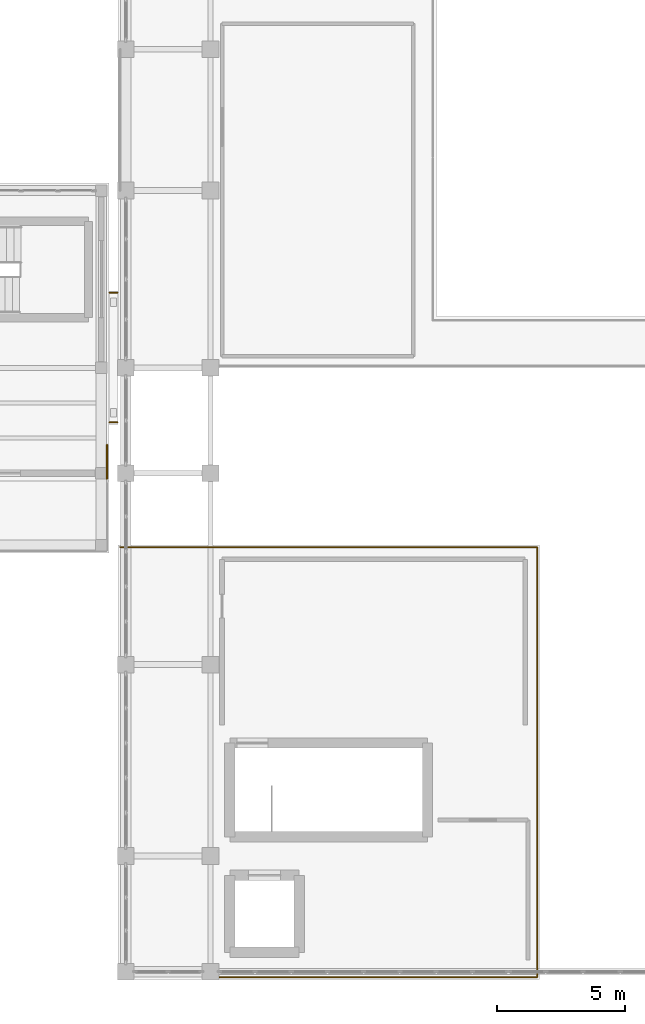
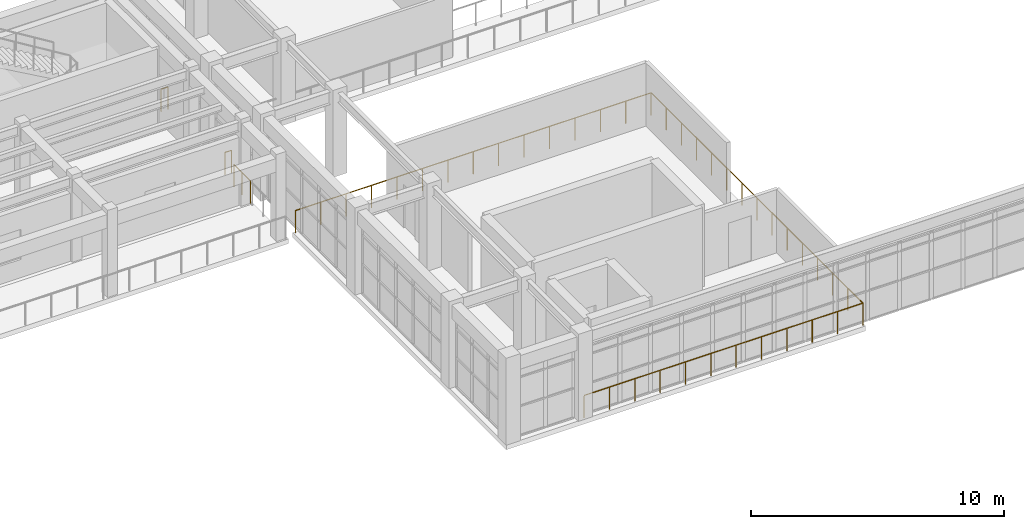
# One storey, part 63 of 66: 4 railings.
"""IFC4 building model written with IfcOpenShell, lengths in metres."""

from ifc_helpers import new_model, si_unit, direction, frame, origin, origin_2d, place, context, subcontext, project, spatial, circle, extrude, material, type_object, element, save


model = new_model("IFC4")

# Units and contexts
model_context = context("Model", 3, precision=1e-05, world=origin(), true_north=direction((0.0, 1.0)))
body_context = subcontext(model_context, "Body", "Model", "MODEL_VIEW")
ifc_project = project(units=[si_unit("LENGTHUNIT", "METRE"), si_unit("AREAUNIT", "SQUARE_METRE"), si_unit("VOLUMEUNIT", "CUBIC_METRE"), si_unit("PLANEANGLEUNIT", "RADIAN"), si_unit("MASSUNIT", "GRAM", prefix="KILO")], contexts=[model_context])

# Site, building, storey
site_placement = place(None, origin())
site = spatial("IfcSite", under=ifc_project, at=site_placement, CompositionType="ELEMENT")
building_placement = place(site_placement, origin())
building = spatial("IfcBuilding", under=site, at=building_placement, Name="Candilejo Ridge Gondola Terminal", CompositionType="ELEMENT")
storey_placement = place(building_placement, frame((0.0, 0.0, 14.39990234375)))
storey = spatial("IfcBuildingStorey", under=building, at=storey_placement, Name="L03", CompositionType="ELEMENT", Elevation=14.39990234375)

# Railings
ifc_material = material(Name="Hot-dip galvanised steel ASTM A500 Grade B", Category="steel")
railing_type = type_object("IfcRailingType", Name="ARC-GUARD-GLASS-1150", PredefinedType="GUARDRAIL", material=ifc_material)
for number, where, name in (
    (1, (133.27001953125, 27.679931640625, 0.0), "Link bridge guard LB-SJ3-L03-S"),
    (2, (133.27001953125, 32.719970703125, 0.0), "Link bridge guard LB-SJ3-L03-N"),
):
    element("IfcRailing", number, at=place(storey_placement, frame(where)), inside=storey, type_object=railing_type, Name=name, PredefinedType="GUARDRAIL", context=body_context, shape_type="SweptSolid", body=[
        extrude(circle(Radius=0.02392578125, at=origin_2d()), frame((0.0, 0.0, 1.076171875), z_axis=(1.0, 0.0, 0.0), x_axis=(0.0, 1.0, 0.0)), (0.0, 0.0, 1.0), 0.31005859375),
        extrude(circle(Radius=0.02099609375, at=origin_2d()), origin(), (0.0, 0.0, 1.0), 1.052001953125),
        extrude(circle(Radius=0.02099609375, at=origin_2d()), frame((0.31005859375, 0.0, 0.0)), (0.0, 0.0, 1.0), 1.052001953125),
    ])
railing_1_placement = place(storey_placement, frame((133.169921875, 25.47998046875, 0.0)))
element("IfcRailing", 3, at=railing_1_placement, inside=storey, type_object=railing_type, Name="Deck edge guard GR-V3-L03-E1", PredefinedType="GUARDRAIL", context=body_context, shape_type="SweptSolid", body=[
    extrude(circle(Radius=0.02392578125, at=origin_2d()), frame((0.0, 0.0, 1.076171875), z_axis=(0.0, 1.0, 0.0), x_axis=(-1.0, 0.0, 0.0)), (0.0, 0.0, 1.0), 1.320068359375),
    extrude(circle(Radius=0.02099609375, at=origin_2d()), origin(), (0.0, 0.0, 1.0), 1.052001953125),
    extrude(circle(Radius=0.02099609375, at=origin_2d()), frame((0.0, 0.66015625, 0.0)), (0.0, 0.0, 1.0), 1.052001953125),
    extrude(circle(Radius=0.02099609375, at=origin_2d()), frame((0.0, 1.320068359375, 0.0)), (0.0, 0.0, 1.0), 1.052001953125),
])
railing_2_placement = place(storey_placement, frame((137.199951171875, 6.080078125, 0.0)))
element("IfcRailing", 4, at=railing_2_placement, inside=storey, type_object=railing_type, Name="Deck edge guard GR-V4-L03-CTL", PredefinedType="GUARDRAIL", context=body_context, shape_type="SweptSolid", body=[
    extrude(circle(Radius=0.02392578125, at=origin_2d()), frame((0.0, 0.0, 1.076171875), z_axis=(1.0, 0.0, 0.0), x_axis=(0.0, 1.0, 0.0)), (0.0, 0.0, 1.0), 12.719970703125),
    extrude(circle(Radius=0.02392578125, at=origin_2d()), frame((12.719970703125, 0.0, 1.076171875), z_axis=(0.0, 1.0, 0.0), x_axis=(-1.0, 0.0, 0.0)), (0.0, 0.0, 1.0), 16.739990234375),
    extrude(circle(Radius=0.02392578125, at=origin_2d()), frame((12.719970703125, 16.739990234375, 1.076171875), z_axis=(-1.0, 0.0, 0.0), x_axis=(0.0, -1.0, 0.0)), (0.0, 0.0, 1.0), 16.239990234375),
    extrude(circle(Radius=0.02099609375, at=origin_2d()), origin(), (0.0, 0.0, 1.0), 1.052001953125),
    extrude(circle(Radius=0.02099609375, at=origin_2d()), frame((1.15625, 0.0, 0.0)), (0.0, 0.0, 1.0), 1.052001953125),
    extrude(circle(Radius=0.02099609375, at=origin_2d()), frame((2.312744140625, 0.0, 0.0)), (0.0, 0.0, 1.0), 1.052001953125),
    extrude(circle(Radius=0.02099609375, at=origin_2d()), frame((3.468994140625, 0.0, 0.0)), (0.0, 0.0, 1.0), 1.052001953125),
    extrude(circle(Radius=0.02099609375, at=origin_2d()), frame((4.62548828125, 0.0, 0.0)), (0.0, 0.0, 1.0), 1.052001953125),
    extrude(circle(Radius=0.02099609375, at=origin_2d()), frame((5.78173828125, 0.0, 0.0)), (0.0, 0.0, 1.0), 1.052001953125),
    extrude(circle(Radius=0.02099609375, at=origin_2d()), frame((6.938232421875, 0.0, 0.0)), (0.0, 0.0, 1.0), 1.052001953125),
    extrude(circle(Radius=0.02099609375, at=origin_2d()), frame((8.094482421875, 0.0, 0.0)), (0.0, 0.0, 1.0), 1.052001953125),
    extrude(circle(Radius=0.02099609375, at=origin_2d()), frame((9.2509765625, 0.0, 0.0)), (0.0, 0.0, 1.0), 1.052001953125),
    extrude(circle(Radius=0.02099609375, at=origin_2d()), frame((10.4072265625, 0.0, 0.0)), (0.0, 0.0, 1.0), 1.052001953125),
    extrude(circle(Radius=0.02099609375, at=origin_2d()), frame((11.563720703125, 0.0, 0.0)), (0.0, 0.0, 1.0), 1.052001953125),
    extrude(circle(Radius=0.02099609375, at=origin_2d()), frame((12.719970703125, 0.0, 0.0)), (0.0, 0.0, 1.0), 1.052001953125),
    extrude(circle(Radius=0.02099609375, at=origin_2d()), frame((12.719970703125, 1.19580078125, 0.0)), (0.0, 0.0, 1.0), 1.052001953125),
    extrude(circle(Radius=0.02099609375, at=origin_2d()), frame((12.719970703125, 2.391357421875, 0.0)), (0.0, 0.0, 1.0), 1.052001953125),
    extrude(circle(Radius=0.02099609375, at=origin_2d()), frame((12.719970703125, 3.587158203125, 0.0)), (0.0, 0.0, 1.0), 1.052001953125),
    extrude(circle(Radius=0.02099609375, at=origin_2d()), frame((12.719970703125, 4.782958984375, 0.0)), (0.0, 0.0, 1.0), 1.052001953125),
    extrude(circle(Radius=0.02099609375, at=origin_2d()), frame((12.719970703125, 5.978515625, 0.0)), (0.0, 0.0, 1.0), 1.052001953125),
    extrude(circle(Radius=0.02099609375, at=origin_2d()), frame((12.719970703125, 7.17431640625, 0.0)), (0.0, 0.0, 1.0), 1.052001953125),
    extrude(circle(Radius=0.02099609375, at=origin_2d()), frame((12.719970703125, 8.3701171875, 0.0)), (0.0, 0.0, 1.0), 1.052001953125),
    extrude(circle(Radius=0.02099609375, at=origin_2d()), frame((12.719970703125, 9.565673828125, 0.0)), (0.0, 0.0, 1.0), 1.052001953125),
    extrude(circle(Radius=0.02099609375, at=origin_2d()), frame((12.719970703125, 10.761474609375, 0.0)), (0.0, 0.0, 1.0), 1.052001953125),
    extrude(circle(Radius=0.02099609375, at=origin_2d()), frame((12.719970703125, 11.95703125, 0.0)), (0.0, 0.0, 1.0), 1.052001953125),
    extrude(circle(Radius=0.02099609375, at=origin_2d()), frame((12.719970703125, 13.15283203125, 0.0)), (0.0, 0.0, 1.0), 1.052001953125),
    extrude(circle(Radius=0.02099609375, at=origin_2d()), frame((12.719970703125, 14.3486328125, 0.0)), (0.0, 0.0, 1.0), 1.052001953125),
    extrude(circle(Radius=0.02099609375, at=origin_2d()), frame((12.719970703125, 15.544189453125, 0.0)), (0.0, 0.0, 1.0), 1.052001953125),
    extrude(circle(Radius=0.02099609375, at=origin_2d()), frame((12.719970703125, 16.739990234375, 0.0)), (0.0, 0.0, 1.0), 1.052001953125),
    extrude(circle(Radius=0.02099609375, at=origin_2d()), frame((11.56005859375, 16.739990234375, 0.0)), (0.0, 0.0, 1.0), 1.052001953125),
    extrude(circle(Radius=0.02099609375, at=origin_2d()), frame((10.39990234375, 16.739990234375, 0.0)), (0.0, 0.0, 1.0), 1.052001953125),
    extrude(circle(Radius=0.02099609375, at=origin_2d()), frame((9.239990234375, 16.739990234375, 0.0)), (0.0, 0.0, 1.0), 1.052001953125),
    extrude(circle(Radius=0.02099609375, at=origin_2d()), frame((8.080078125, 16.739990234375, 0.0)), (0.0, 0.0, 1.0), 1.052001953125),
    extrude(circle(Radius=0.02099609375, at=origin_2d()), frame((6.919921875, 16.739990234375, 0.0)), (0.0, 0.0, 1.0), 1.052001953125),
    extrude(circle(Radius=0.02099609375, at=origin_2d()), frame((5.760009765625, 16.739990234375, 0.0)), (0.0, 0.0, 1.0), 1.052001953125),
    extrude(circle(Radius=0.02099609375, at=origin_2d()), frame((4.60009765625, 16.739990234375, 0.0)), (0.0, 0.0, 1.0), 1.052001953125),
    extrude(circle(Radius=0.02099609375, at=origin_2d()), frame((3.43994140625, 16.739990234375, 0.0)), (0.0, 0.0, 1.0), 1.052001953125),
    extrude(circle(Radius=0.02099609375, at=origin_2d()), frame((2.280029296875, 16.739990234375, 0.0)), (0.0, 0.0, 1.0), 1.052001953125),
    extrude(circle(Radius=0.02099609375, at=origin_2d()), frame((1.119873046875, 16.739990234375, 0.0)), (0.0, 0.0, 1.0), 1.052001953125),
    extrude(circle(Radius=0.02099609375, at=origin_2d()), frame((-0.0400390625, 16.739990234375, 0.0)), (0.0, 0.0, 1.0), 1.052001953125),
    extrude(circle(Radius=0.02099609375, at=origin_2d()), frame((-1.199951171875, 16.739990234375, 0.0)), (0.0, 0.0, 1.0), 1.052001953125),
    extrude(circle(Radius=0.02099609375, at=origin_2d()), frame((-2.360107421875, 16.739990234375, 0.0)), (0.0, 0.0, 1.0), 1.052001953125),
    extrude(circle(Radius=0.02099609375, at=origin_2d()), frame((-3.52001953125, 16.739990234375, 0.0)), (0.0, 0.0, 1.0), 1.052001953125),
])

save(model, "model.ifc")
